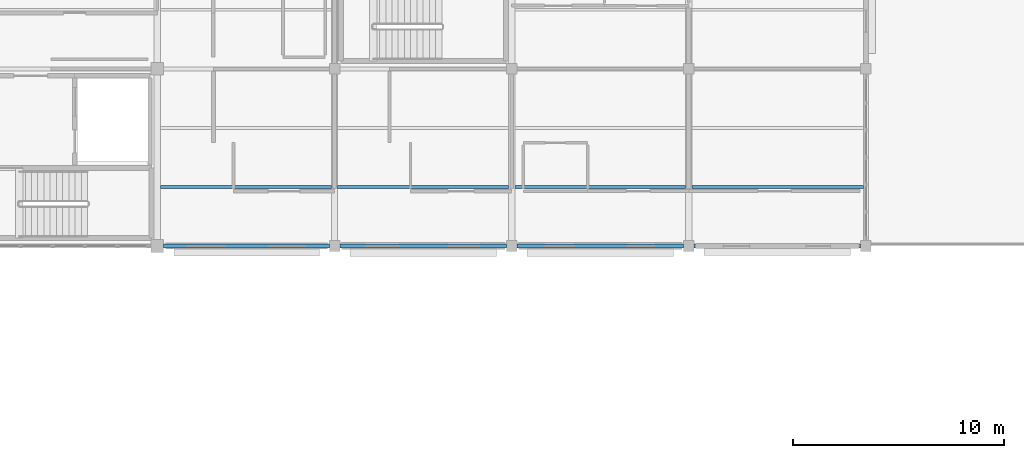
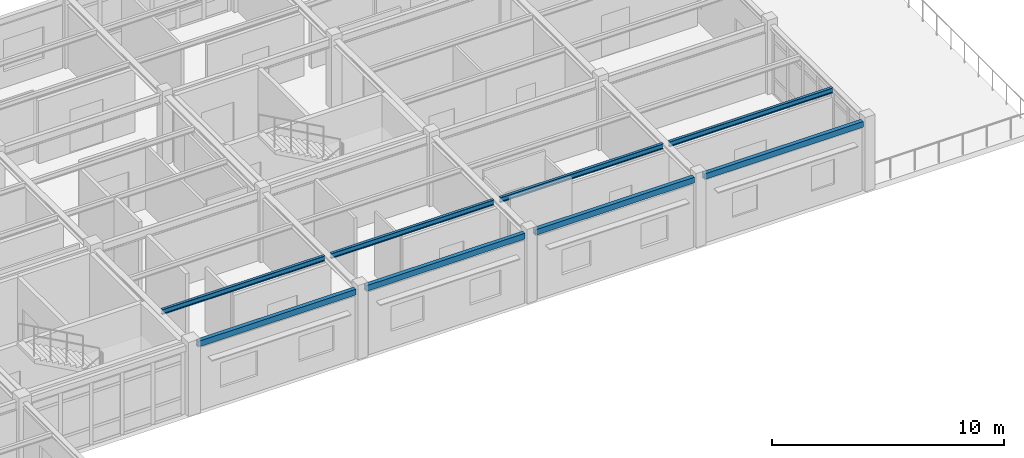
# One storey, part 30 of 70: 8 beams.
"""IFC4 building model written with IfcOpenShell, lengths in metres."""

from ifc_helpers import new_model, si_unit, direction, frame, origin, origin_2d, place, context, subcontext, project, spatial, hollow_rectangle, i_section, extrude, material, material_profile, profile_set, type_object, element, save


model = new_model("IFC4")

# Units and contexts
model_context = context("Model", 3, precision=1e-05, world=origin(), true_north=direction((0.0, 1.0)))
body_context = subcontext(model_context, "Body", "Model", "MODEL_VIEW")
ifc_project = project(units=[si_unit("LENGTHUNIT", "METRE"), si_unit("AREAUNIT", "SQUARE_METRE"), si_unit("VOLUMEUNIT", "CUBIC_METRE"), si_unit("PLANEANGLEUNIT", "RADIAN"), si_unit("MASSUNIT", "GRAM", prefix="KILO")], contexts=[model_context])

# Site, building, storey
site_placement = place(None, origin())
site = spatial("IfcSite", under=ifc_project, at=site_placement, CompositionType="ELEMENT")
building_placement = place(site_placement, origin())
building = spatial("IfcBuilding", under=site, at=building_placement, Name="Bramfleet General Hospital", CompositionType="ELEMENT")
storey_placement = place(building_placement, frame((0.0, 0.0, 22.5)))
storey = spatial("IfcBuildingStorey", under=building, at=storey_placement, Name="L05", CompositionType="ELEMENT", Elevation=22.5)

# Beams
ifc_material = material(Name="Steel S355", Category="steel")
ifc_material_profile_1 = material_profile(ifc_material, i_section(OverallWidth=0.135009765625, OverallDepth=0.27001953125, WebThickness=0.006591796875, FlangeThickness=0.01025390625, FilletRadius=0.014892578125, at=origin_2d()), Name="IPE 270")
ifc_profile_set_1 = profile_set([ifc_material_profile_1], Name="Steel S355")
beam_type_1 = type_object("IfcBeamType", Name="BM-IPE270", PredefinedType="JOIST", material=ifc_profile_set_1)
beam_1_placement = place(storey_placement, frame((126.14990234375, 95.199951171875, 3.485107421875), z_axis=(1.0, 0.0, 0.0), x_axis=(0.0, 1.0, 0.0)))
element("IfcBeam", 1, at=beam_1_placement, inside=storey, type_object=beam_type_1, Name="L05 Secondary Joist 15-11-1", PredefinedType="JOIST", context=body_context, shape_type="SweptSolid", body=[
    extrude(i_section(OverallWidth=0.135009765625, OverallDepth=0.27001953125, WebThickness=0.006591796875, FlangeThickness=0.01025390625, FilletRadius=0.014892578125, at=origin_2d()), origin(), (0.0, 0.0, 1.0), 8.10009765625),
])
beam_2_placement = place(storey_placement, frame((134.550048828125, 95.199951171875, 3.485107421875), z_axis=(1.0, 0.0, 0.0), x_axis=(0.0, 1.0, 0.0)))
element("IfcBeam", 2, at=beam_2_placement, inside=storey, type_object=beam_type_1, Name="L05 Secondary Joist 16-11-1", PredefinedType="JOIST", context=body_context, shape_type="SweptSolid", body=[
    extrude(i_section(OverallWidth=0.135009765625, OverallDepth=0.27001953125, WebThickness=0.006591796875, FlangeThickness=0.01025390625, FilletRadius=0.014892578125, at=origin_2d()), origin(), (0.0, 0.0, 1.0), 8.099853515625),
])
beam_3_placement = place(storey_placement, frame((142.949951171875, 95.199951171875, 3.485107421875), z_axis=(1.0, 0.0, 0.0), x_axis=(0.0, 1.0, 0.0)))
element("IfcBeam", 3, at=beam_3_placement, inside=storey, type_object=beam_type_1, Name="L05 Secondary Joist 17-11-1", PredefinedType="JOIST", context=body_context, shape_type="SweptSolid", body=[
    extrude(i_section(OverallWidth=0.135009765625, OverallDepth=0.27001953125, WebThickness=0.006591796875, FlangeThickness=0.01025390625, FilletRadius=0.014892578125, at=origin_2d()), origin(), (0.0, 0.0, 1.0), 8.10009765625),
])
beam_4_placement = place(storey_placement, frame((151.35009765625, 95.199951171875, 3.47509765625), z_axis=(1.0, 0.0, 0.0), x_axis=(0.0, 1.0, 0.0)))
element("IfcBeam", 4, at=beam_4_placement, inside=storey, type_object=beam_type_1, Name="L05 Secondary Joist 18-11-1", PredefinedType="JOIST", context=body_context, shape_type="SweptSolid", body=[
    extrude(i_section(OverallWidth=0.135009765625, OverallDepth=0.27001953125, WebThickness=0.006591796875, FlangeThickness=0.01025390625, FilletRadius=0.014892578125, at=origin_2d()), origin(), (0.0, 0.0, 1.0), 8.1298828125),
])
ifc_material_profile_2 = material_profile(ifc_material, hollow_rectangle(XDim=0.199951171875, YDim=0.300048828125, WallThickness=0.012451171875, at=origin_2d()), Name="RHS 300x200x12.5")
ifc_profile_set_2 = profile_set([ifc_material_profile_2], Name="Steel S355")
beam_type_2 = type_object("IfcBeamType", Name="BM-RHS300", PredefinedType="SPANDREL", material=ifc_profile_set_2)
beam_5_placement = place(storey_placement, frame((126.300048828125, 92.39990234375, 3.469970703125), z_axis=(1.0, 0.0, 0.0), x_axis=(0.0, 1.0, 0.0)))
element("IfcBeam", 5, at=beam_5_placement, inside=storey, type_object=beam_type_2, Name="L05 Grid Beam X 15-11", PredefinedType="SPANDREL", context=body_context, shape_type="SweptSolid", body=[
    extrude(hollow_rectangle(XDim=0.199951171875, YDim=0.300048828125, WallThickness=0.012451171875, at=origin_2d()), origin(), (0.0, 0.0, 1.0), 7.849853515625),
])
beam_6_placement = place(storey_placement, frame((134.64990234375, 92.39990234375, 3.469970703125), z_axis=(1.0, 0.0, 0.0), x_axis=(0.0, 1.0, 0.0)))
element("IfcBeam", 6, at=beam_6_placement, inside=storey, type_object=beam_type_2, Name="L05 Grid Beam X 16-11", PredefinedType="SPANDREL", context=body_context, shape_type="SweptSolid", body=[
    extrude(hollow_rectangle(XDim=0.199951171875, YDim=0.300048828125, WallThickness=0.012451171875, at=origin_2d()), origin(), (0.0, 0.0, 1.0), 7.900146484375),
])
beam_7_placement = place(storey_placement, frame((143.050048828125, 92.39990234375, 3.469970703125), z_axis=(1.0, 0.0, 0.0), x_axis=(0.0, 1.0, 0.0)))
element("IfcBeam", 7, at=beam_7_placement, inside=storey, type_object=beam_type_2, Name="L05 Grid Beam X 17-11", PredefinedType="SPANDREL", context=body_context, shape_type="SweptSolid", body=[
    extrude(hollow_rectangle(XDim=0.199951171875, YDim=0.300048828125, WallThickness=0.012451171875, at=origin_2d()), origin(), (0.0, 0.0, 1.0), 7.89990234375),
])
beam_8_placement = place(storey_placement, frame((151.449951171875, 92.39990234375, 3.4599609375), z_axis=(1.0, 0.0, 0.0), x_axis=(0.0, 1.0, 0.0)))
element("IfcBeam", 8, at=beam_8_placement, inside=storey, type_object=beam_type_2, Name="L05 Grid Beam X 18-11", PredefinedType="SPANDREL", context=body_context, shape_type="SweptSolid", body=[
    extrude(hollow_rectangle(XDim=0.199951171875, YDim=0.300048828125, WallThickness=0.012451171875, at=origin_2d()), origin(), (0.0, 0.0, 1.0), 7.900146484375),
])

save(model, "model.ifc")
